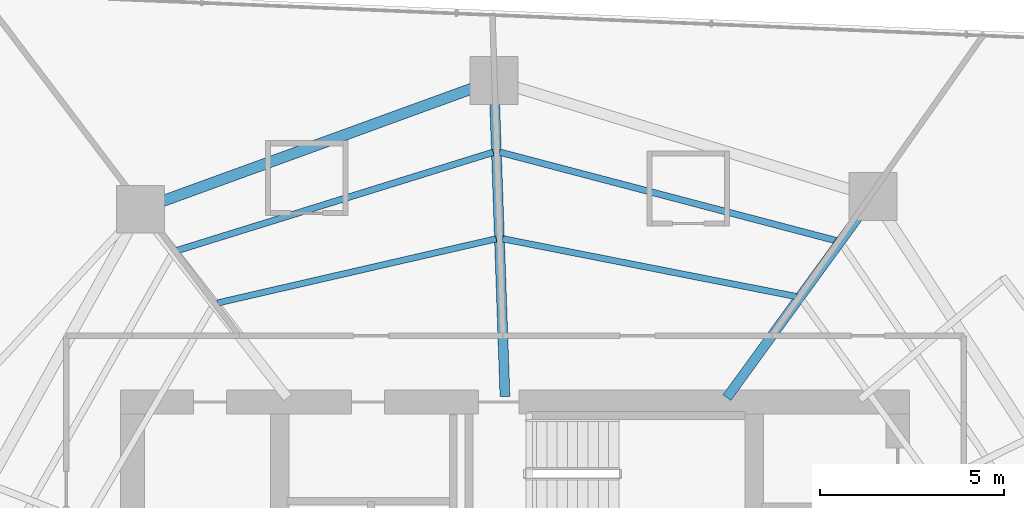
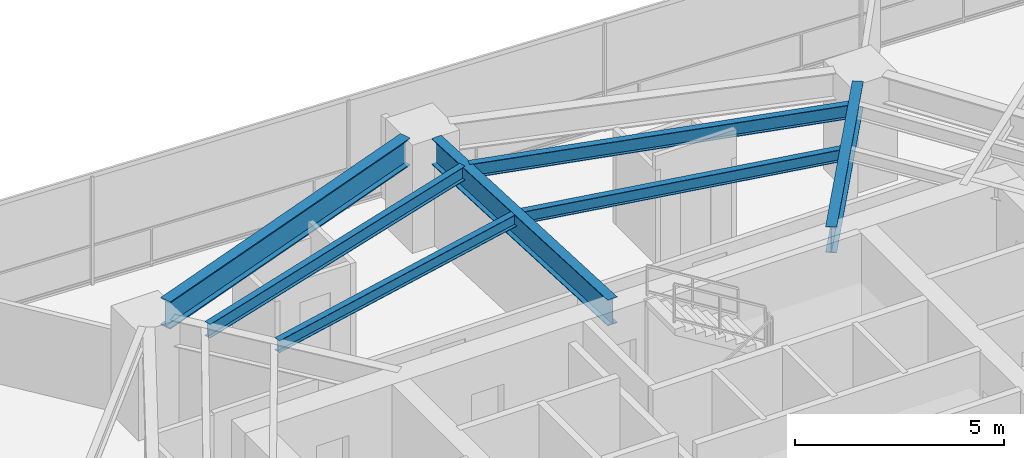
# One storey, part 17 of 30: 7 beams.
"""IFC4 building model written with IfcOpenShell, lengths in metres."""

import ifcopenshell
import ifcopenshell.guid

model = None  # the IFC model being written
_history = None  # IfcOwnerHistory: only IFC2X3 demands one
_inside = {}  # id of a spatial element -> (the spatial element, [elements in it])
_under = {}  # id of a project, library or spatial element -> (it, [spatial elements below it])
_declared = {}  # id of a project -> (the project, [libraries it declares])
_typed = {}  # id of a type object -> (the type object, [elements of that type])
_made_of = {}  # id of a material, layer set ... -> (it, [elements and type objects made of it])


def new_model(schema):
    """Start an empty IFC model of exactly this schema.

    Asked for "IFC4X3", IfcOpenShell would pick the latest addendum, in which some entities
    have other attributes; the version numbers below select the first issue.
    IFC2X3 requires an IfcOwnerHistory on every rooted entity: one is made here for all.
    """
    global model, _history
    if schema == "IFC4X3":
        model = ifcopenshell.file(schema_version=(4, 3, 0, 0))
    else:
        model = ifcopenshell.file(schema=schema)
    _inside.clear()
    _under.clear()
    _declared.clear()
    _typed.clear()
    _made_of.clear()
    _history = None
    if model.schema == "IFC2X3":
        org = make("IfcOrganization", Name="unknown")
        user = make(
            "IfcPersonAndOrganization",
            ThePerson=make("IfcPerson", FamilyName="unknown"),
            TheOrganization=org,
        )
        app = make(
            "IfcApplication",
            ApplicationDeveloper=org,
            Version="unknown",
            ApplicationFullName="unknown",
            ApplicationIdentifier="unknown",
        )
        _history = make(
            "IfcOwnerHistory",
            OwningUser=user,
            OwningApplication=app,
            ChangeAction="ADDED",
            CreationDate=0,
        )
    return model


def make(cls, **values):
    """One entity of the class cls with the attributes given. An attribute that is None is left unset."""
    return model.create_entity(
        cls, **{name: value for name, value in values.items() if value is not None}
    )


def rooted(cls, **values):
    """An entity with a GlobalId (a new one), such as an element, a storey or a relation."""
    return make(cls, GlobalId=ifcopenshell.guid.new(), OwnerHistory=_history, **values)


def si_unit(unit_type, name, prefix=None):
    """IfcSIUnit, for example si_unit("LENGTHUNIT", "METRE", prefix="MILLI")."""
    return make("IfcSIUnit", UnitType=unit_type, Prefix=prefix, Name=name)


def assignment(units):
    """IfcUnitAssignment: the units of a project."""
    return None if units is None else make("IfcUnitAssignment", Units=units)


def point(xyz):
    """IfcCartesianPoint."""
    return None if xyz is None else make("IfcCartesianPoint", Coordinates=xyz)


def direction(xyz):
    """IfcDirection."""
    return None if xyz is None else make("IfcDirection", DirectionRatios=xyz)


def frame(location, z_axis=None, x_axis=None):
    """IfcAxis2Placement3D, a coordinate frame: its origin and axes. An axis left out is left unset."""
    return make(
        "IfcAxis2Placement3D",
        Location=point(location),
        Axis=direction(z_axis),
        RefDirection=direction(x_axis),
    )


def frame_2d(location, x_axis=None):
    """IfcAxis2Placement2D, a coordinate frame in the plane: its origin and x axis."""
    return make(
        "IfcAxis2Placement2D", Location=point(location), RefDirection=direction(x_axis)
    )


def origin():
    """The frame at (0, 0, 0) with its axes left unset."""
    return frame((0.0, 0.0, 0.0))


def origin_2d():
    """The frame at (0, 0) in the plane with its x axis left unset."""
    return frame_2d((0.0, 0.0))


def place(relative_to, where):
    """IfcLocalPlacement: puts the frame where relative to a parent placement (None: the world)."""
    return make(
        "IfcLocalPlacement", PlacementRelTo=relative_to, RelativePlacement=where
    )


def context(
    kind, dimensions, precision=None, world=None, true_north=None, identifier=None
):
    """IfcGeometricRepresentationContext, for example the 3D "Model" context."""
    return make(
        "IfcGeometricRepresentationContext",
        ContextIdentifier=identifier,
        ContextType=kind,
        CoordinateSpaceDimension=dimensions,
        Precision=precision,
        WorldCoordinateSystem=world,
        TrueNorth=true_north,
    )


def subcontext(parent, identifier, kind, view, scale=None):
    """IfcGeometricRepresentationSubContext, for example "Body" below "Model"."""
    return make(
        "IfcGeometricRepresentationSubContext",
        ContextIdentifier=identifier,
        ContextType=kind,
        ParentContext=parent,
        TargetScale=scale,
        TargetView=view,
    )


def project(units=None, contexts=None):
    """IfcProject with its units and contexts."""
    return rooted(
        "IfcProject",
        Name="project",
        RepresentationContexts=contexts,
        UnitsInContext=assignment(units),
    )


def spatial(cls, under=None, at=None, **own):
    """A site, building, storey or space (cls), placed at a placement, below another one or the project."""
    s = rooted(cls, ObjectPlacement=at, **own)
    if under is not None:
        _under.setdefault(under.id(), (under, []))[1].append(s)
    return s


def profile(cls, at=None, kind="AREA", **sizes):
    """A parametric profile (cls). Its sizes go by their IFC names, for example OverallWidth=200.0."""
    return make(cls, ProfileType=kind, Position=at, **sizes)


def i_section(**sizes):
    """IfcIShapeProfileDef."""
    return profile("IfcIShapeProfileDef", **sizes)


def extrude(swept, where, along, depth):
    """IfcExtrudedAreaSolid: the profile swept, set in the frame where, extruded along a direction by depth."""
    return make(
        "IfcExtrudedAreaSolid",
        SweptArea=swept,
        Position=where,
        ExtrudedDirection=direction(along),
        Depth=depth,
    )


def shape(context_of_items, identifier, shape_type, items):
    """IfcShapeRepresentation: the items that make up one representation, for example the "Body"."""
    return make(
        "IfcShapeRepresentation",
        ContextOfItems=context_of_items,
        RepresentationIdentifier=identifier,
        RepresentationType=shape_type,
        Items=items,
    )


def material(Name=None, Category=None):
    """IfcMaterial."""
    return make("IfcMaterial", Name=Name, Category=Category)


def material_profile(
    of_material, cross_section, Name=None, Category=None, Priority=None
):
    """IfcMaterialProfile: a cross section and its material."""
    return make(
        "IfcMaterialProfile",
        Name=Name,
        Material=of_material,
        Profile=cross_section,
        Priority=Priority,
        Category=Category,
    )


def profile_set(profiles, Name=None, composite=None):
    """IfcMaterialProfileSet."""
    return make(
        "IfcMaterialProfileSet",
        Name=Name,
        MaterialProfiles=profiles,
        CompositeProfile=composite,
    )


def made_of(thing, what):
    """Note that an element or type object is made of a material, layer set ...; save() writes the relation."""
    if what is not None:
        _made_of.setdefault(what.id(), (what, []))[1].append(thing)
    return thing


def type_object(cls, material=None, **own):
    """A type object (cls), such as IfcWallType, which elements share."""
    return made_of(rooted(cls, **own), material)


def element(
    cls,
    number,
    at=None,
    inside=None,
    cuts=None,
    type_object=None,
    material=None,
    context=None,
    identifier="Body",
    shape_type=None,
    held_by="IfcProductDefinitionShape",
    body=None,
    shapes=None,
    **own,
):
    """One element of the class cls, such as IfcWall. Its Tag is "e" and its number.

    at: its placement. inside: the storey or other place that contains it. cuts: it is an
    opening in that element (IfcRelVoidsElement). A single representation is given by context,
    identifier, shape_type and body (its items); several are given by shapes. held_by: the class
    of the entity that holds the representations. save() writes the other relations.
    """
    e = rooted(cls, Tag="e%d" % number, ObjectPlacement=at, **own)
    if body is not None:
        shapes = [shape(context, identifier, shape_type, body)]
    if shapes is not None:
        e.Representation = make(held_by, Representations=shapes)
    if inside is not None:
        _inside.setdefault(inside.id(), (inside, []))[1].append(e)
    if cuts is not None:
        rooted(
            "IfcRelVoidsElement", RelatingBuildingElement=cuts, RelatedOpeningElement=e
        )
    if type_object is not None:
        _typed.setdefault(type_object.id(), (type_object, []))[1].append(e)
    return made_of(e, material)


def aggregate(whole, parts):
    """IfcRelAggregates: a whole, such as a stair, and the parts it consists of."""
    return rooted("IfcRelAggregates", RelatingObject=whole, RelatedObjects=parts)


def save(model, path):
    """Write the relations noted so far, then the file.

    IfcRelAggregates (storeys below a building ...), IfcRelContainedInSpatialStructure (elements
    in a storey), IfcRelDefinesByType, IfcRelAssociatesMaterial and IfcRelDeclares: one each for
    every whole, place, type object, material and project.
    """
    for whole, parts in _under.values():
        aggregate(whole, parts)
    for where, things in _inside.values():
        rooted(
            "IfcRelContainedInSpatialStructure",
            RelatedElements=things,
            RelatingStructure=where,
        )
    for kind, things in _typed.values():
        rooted("IfcRelDefinesByType", RelatedObjects=things, RelatingType=kind)
    for what, things in _made_of.values():
        rooted("IfcRelAssociatesMaterial", RelatedObjects=things, RelatingMaterial=what)
    for by, libraries in _declared.values():
        rooted("IfcRelDeclares", RelatingContext=by, RelatedDefinitions=libraries)
    model.write(path)


model = new_model("IFC4")

# Units and contexts
model_context = context("Model", 3, precision=1e-05, world=origin(), true_north=direction((0.0, 1.0)))
body_context = subcontext(model_context, "Body", "Model", "MODEL_VIEW")
ifc_project = project(units=[si_unit("LENGTHUNIT", "METRE"), si_unit("AREAUNIT", "SQUARE_METRE"), si_unit("VOLUMEUNIT", "CUBIC_METRE"), si_unit("PLANEANGLEUNIT", "RADIAN"), si_unit("MASSUNIT", "GRAM", prefix="KILO")], contexts=[model_context])

# Site, building, storey
site_placement = place(None, origin())
site = spatial("IfcSite", under=ifc_project, at=site_placement, CompositionType="ELEMENT")
building_placement = place(site_placement, origin())
building = spatial("IfcBuilding", under=site, at=building_placement, Name="Qarnah Convention Tower", CompositionType="ELEMENT")
storey_placement = place(building_placement, frame((0.0, 0.0, 58.050048828125)))
storey = spatial("IfcBuildingStorey", under=building, at=storey_placement, Name="L14", CompositionType="ELEMENT", Elevation=58.050048828125)

# Beams
ifc_material = material(Name="Structural steel S355JR", Category="steel")
ifc_material_profile_1 = material_profile(ifc_material, i_section(OverallWidth=0.172119140625, OverallDepth=0.35595703125, WebThickness=0.007080078125, FlangeThickness=0.011962890625, at=origin_2d()), Name="W360X51")
ifc_profile_set_1 = profile_set([ifc_material_profile_1], Name="Structural steel S355JR")
beam_type_1 = type_object("IfcBeamType", Name="BM-JST-W360", PredefinedType="JOIST", material=ifc_profile_set_1)
beam_1_placement = place(storey_placement, frame((44.85009765625, 37.06689453125, 2.991943359375), z_axis=(-0.981172206516, 0.193134929933, 0.0), x_axis=(-0.193134929933, -0.981172206516, 0.0)))
element("IfcBeam", 1, at=beam_1_placement, inside=storey, type_object=beam_type_1, Name="L14 joist BM-L14-IJST-02", PredefinedType="JOIST", context=body_context, shape_type="SweptSolid", body=[
    extrude(i_section(OverallWidth=0.172119140625, OverallDepth=0.35595703125, WebThickness=0.007080078125, FlangeThickness=0.011962890625, at=origin_2d()), origin(), (0.0, 0.0, 1.0), 8.14453125),
])
beam_2_placement = place(storey_placement, frame((36.68310546875, 38.636962890625, 2.991943359375), z_axis=(-0.97452280151, -0.224288451192, 0.0), x_axis=(0.224288451192, -0.97452280151, 0.0)))
element("IfcBeam", 2, at=beam_2_placement, inside=storey, type_object=beam_type_1, Name="L14 joist BM-L14-IJST-03", PredefinedType="JOIST", context=body_context, shape_type="SweptSolid", body=[
    extrude(i_section(OverallWidth=0.172119140625, OverallDepth=0.35595703125, WebThickness=0.007080078125, FlangeThickness=0.011962890625, at=origin_2d()), origin(), (0.0, 0.0, 1.0), 7.775146484375),
])
ifc_material_profile_2 = material_profile(ifc_material, i_section(OverallWidth=0.177978515625, OverallDepth=0.407958984375, WebThickness=0.008056640625, FlangeThickness=0.012939453125, at=origin_2d()), Name="W410X60")
ifc_profile_set_2 = profile_set([ifc_material_profile_2], Name="Structural steel S355JR")
beam_type_2 = type_object("IfcBeamType", Name="BM-JST-W410", PredefinedType="JOIST", material=ifc_profile_set_2)
beam_3_placement = place(storey_placement, frame((45.947998046875, 38.58203125, 2.966064453125), z_axis=(-0.967122537274, 0.254310829294, 0.0), x_axis=(-0.254310829294, -0.967122537274, 0.0)))
element("IfcBeam", 3, at=beam_3_placement, inside=storey, type_object=beam_type_2, Name="L14 joist BM-L14-SJST-02", PredefinedType="JOIST", context=body_context, shape_type="SweptSolid", body=[
    extrude(i_section(OverallWidth=0.177978515625, OverallDepth=0.407958984375, WebThickness=0.008056640625, FlangeThickness=0.012939453125, at=origin_2d()), origin(), (0.0, 0.0, 1.0), 9.48388671875),
])
beam_4_placement = place(storey_placement, frame((36.60302734375, 40.989990234375, 2.966064453125), z_axis=(-0.954952196177, -0.296759672154, 0.0), x_axis=(0.296759672154, -0.954952196177, 0.0)))
element("IfcBeam", 4, at=beam_4_placement, inside=storey, type_object=beam_type_2, Name="L14 joist BM-L14-SJST-03", PredefinedType="JOIST", context=body_context, shape_type="SweptSolid", body=[
    extrude(i_section(OverallWidth=0.177978515625, OverallDepth=0.407958984375, WebThickness=0.008056640625, FlangeThickness=0.012939453125, at=origin_2d()), origin(), (0.0, 0.0, 1.0), 9.010986328125),
])
ifc_material_profile_3 = material_profile(ifc_material, i_section(OverallWidth=0.26806640625, OverallDepth=0.760009765625, WebThickness=0.014892578125, FlangeThickness=0.02197265625, at=origin_2d()), Name="W760X185")
ifc_profile_set_3 = profile_set([ifc_material_profile_3], Name="Structural steel S355JR")
beam_type_3 = type_object("IfcBeamType", Name="BM-RAD-W760", PredefinedType="BEAM", material=ifc_profile_set_3)
beam_5_placement = place(storey_placement, frame((42.955078125, 34.321044921875, 2.7900390625), z_axis=(0.587873224058, 0.808953071837, 0.0), x_axis=(-0.808953071837, 0.587873224058, 0.0)))
element("IfcBeam", 5, at=beam_5_placement, inside=storey, type_object=beam_type_3, Name="L14 beam BM-L14-RAD-02", PredefinedType="BEAM", context=body_context, shape_type="SweptSolid", body=[
    extrude(i_section(OverallWidth=0.26806640625, OverallDepth=0.760009765625, WebThickness=0.014892578125, FlangeThickness=0.02197265625, at=origin_2d()), origin(), (0.0, 0.0, 1.0), 6.12890625),
])
beam_6_placement = place(storey_placement, frame((36.922119140625, 34.35009765625, 2.7900390625), z_axis=(-0.034913066254, 0.999390353068, 0.0), x_axis=(-0.999390353068, -0.034913066254, 0.0)))
element("IfcBeam", 6, at=beam_6_placement, inside=storey, type_object=beam_type_3, Name="L14 beam BM-L14-RAD-03", PredefinedType="BEAM", context=body_context, shape_type="SweptSolid", body=[
    extrude(i_section(OverallWidth=0.26806640625, OverallDepth=0.760009765625, WebThickness=0.014892578125, FlangeThickness=0.02197265625, at=origin_2d()), origin(), (0.0, 0.0, 1.0), 7.96484375),
])
ifc_material_profile_4 = material_profile(ifc_material, i_section(OverallWidth=0.300048828125, OverallDepth=0.800048828125, WebThickness=0.01806640625, FlangeThickness=0.032958984375, at=origin_2d()), Name="HEB800")
ifc_profile_set_4 = profile_set([ifc_material_profile_4], Name="Structural steel S355JR")
beam_type_4 = type_object("IfcBeamType", Name="BM-RING-HEB800", PredefinedType="BEAM", material=ifc_profile_set_4)
beam_7_placement = place(storey_placement, frame((36.02099609375, 42.720947265625, 2.77001953125), z_axis=(-0.939712145037, -0.341966496121, 0.0), x_axis=(0.341966496121, -0.939712145037, 0.0)))
element("IfcBeam", 7, at=beam_7_placement, inside=storey, type_object=beam_type_4, Name="L14 beam BM-L14-SPN-03", PredefinedType="BEAM", context=body_context, shape_type="SweptSolid", body=[
    extrude(i_section(OverallWidth=0.300048828125, OverallDepth=0.800048828125, WebThickness=0.01806640625, FlangeThickness=0.032958984375, at=origin_2d()), origin(), (0.0, 0.0, 1.0), 8.948486328125),
])

save(model, "model.ifc")
